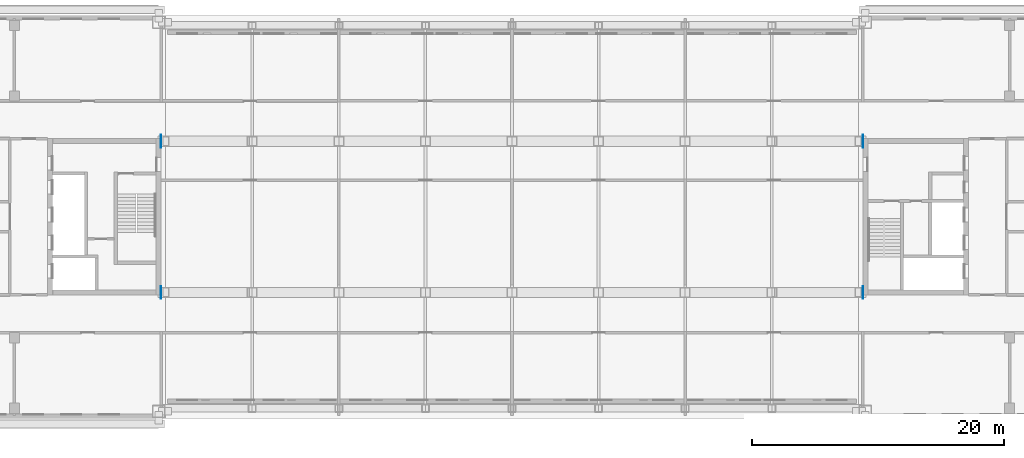
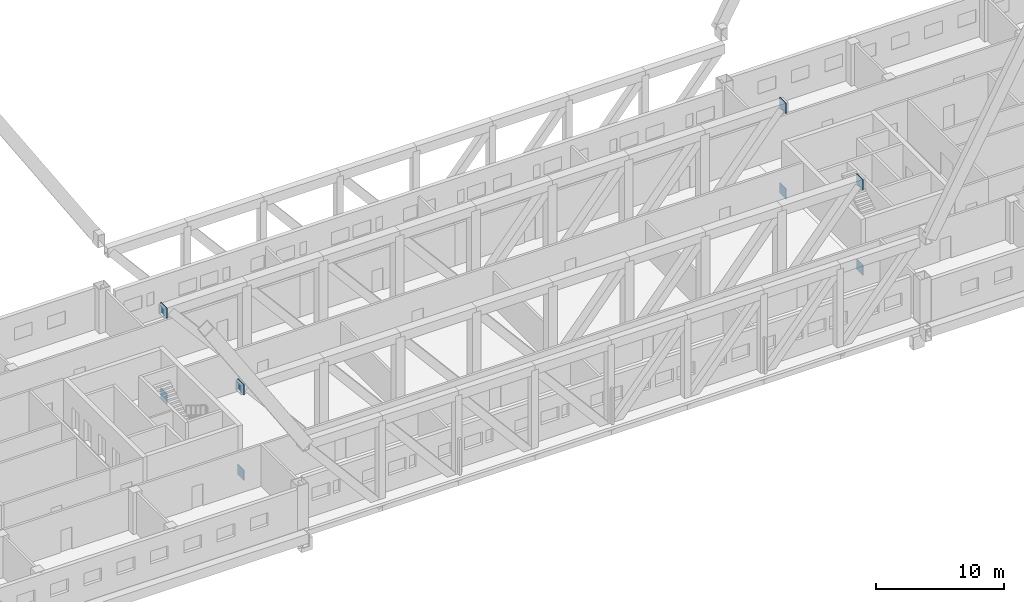
# One storey, part 15 of 17: 8 discrete accessories.
"""IFC4 building model written with IfcOpenShell, lengths in metres."""

from ifc_helpers import new_model, si_unit, direction, frame, origin, origin_2d, place, context, subcontext, project, spatial, rectangle, extrude, element, save


model = new_model("IFC4")

# Units and contexts
model_context = context("Model", 3, precision=1e-05, world=origin(), true_north=direction((0.0, 1.0)))
body_context = subcontext(model_context, "Body", "Model", "MODEL_VIEW")
ifc_project = project(units=[si_unit("LENGTHUNIT", "METRE"), si_unit("AREAUNIT", "SQUARE_METRE"), si_unit("VOLUMEUNIT", "CUBIC_METRE"), si_unit("PLANEANGLEUNIT", "RADIAN"), si_unit("MASSUNIT", "GRAM", prefix="KILO")], contexts=[model_context])

# Site, building, storey
site_placement = place(None, origin())
site = spatial("IfcSite", under=ifc_project, at=site_placement, CompositionType="ELEMENT")
building_placement = place(site_placement, origin())
building = spatial("IfcBuilding", under=site, at=building_placement, Name="Tuart Gate Housing", CompositionType="ELEMENT")
storey_placement = place(building_placement, frame((0.0, 0.0, 194.39990234375)))
storey = spatial("IfcBuildingStorey", under=building, at=storey_placement, Name="L55", CompositionType="ELEMENT", Elevation=194.39990234375)

# Discrete accessories
for number, where, z_axis, x_axis, name in (
    (1, (75.6201171875, 64.0, -1.199951171875), (0.0, 0.0, 1.0), (1.0, 0.0, 0.0), "Truss embed plate line 2 bottom 0"),
    (2, (131.3798828125, 64.0, -1.199951171875), (0.0, 0.0, 1.0), (1.0, 0.0, 0.0), "Truss embed plate line 2 bottom 7"),
    (3, (75.6201171875, 64.0, 6.9501953125), (0.0, 0.0, 1.0), (1.0, 0.0, 0.0), "Truss embed plate line 2 top 0"),
    (4, (131.3798828125, 64.0, 6.9501953125), (0.0, 0.0, 1.0), (1.0, 0.0, 0.0), "Truss embed plate line 2 top 7"),
    (5, (75.6201171875, 76.0, -1.199951171875), (0.0, 0.0, 1.0), (1.0, 0.0, 0.0), "Truss embed plate line 3 bottom 0"),
    (6, (131.3798828125, 76.0, -1.199951171875), (0.0, 0.0, 1.0), (1.0, 0.0, 0.0), "Truss embed plate line 3 bottom 7"),
    (7, (75.6201171875, 76.0, 6.9501953125), (0.0, 0.0, 1.0), (1.0, 0.0, 0.0), "Truss embed plate line 3 top 0"),
    (8, (131.3798828125, 76.0, 6.9501953125), (0.0, 0.0, 1.0), (1.0, 0.0, 0.0), "Truss embed plate line 3 top 7"),
):
    element("IfcDiscreteAccessory", number, at=place(storey_placement, frame(where, z_axis=z_axis, x_axis=x_axis)), inside=storey, Name=name, PredefinedType="ANCHORPLATE", context=body_context, shape_type="SweptSolid", body=[
        extrude(rectangle(XDim=0.0400390625, YDim=1.0, at=origin_2d()), origin(), (0.0, 0.0, 1.0), 1.0),
    ])

save(model, "model.ifc")
